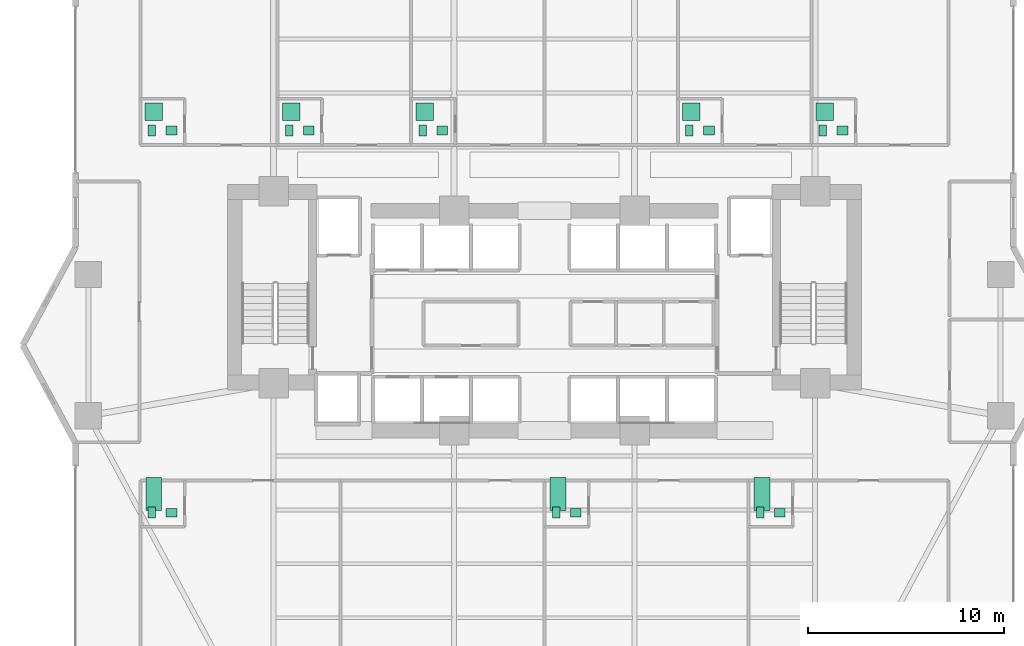
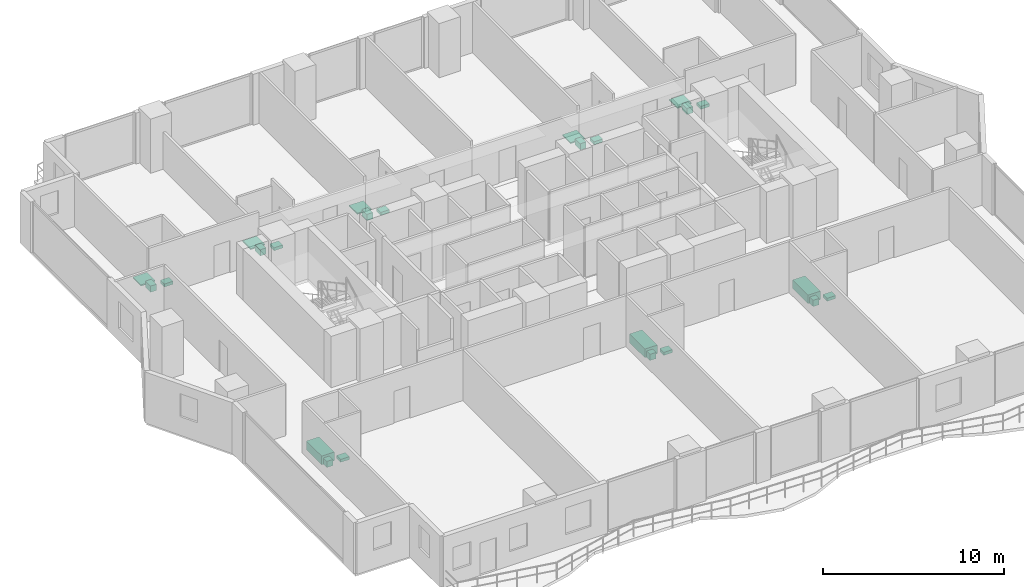
# One storey, part 30 of 30: 24 sanitary terminals.
"""IFC4 building model written with IfcOpenShell, lengths in metres."""

import ifcopenshell
import ifcopenshell.guid

model = None  # the IFC model being written
_history = None  # IfcOwnerHistory: only IFC2X3 demands one
_inside = {}  # id of a spatial element -> (the spatial element, [elements in it])
_under = {}  # id of a project, library or spatial element -> (it, [spatial elements below it])
_declared = {}  # id of a project -> (the project, [libraries it declares])
_typed = {}  # id of a type object -> (the type object, [elements of that type])
_made_of = {}  # id of a material, layer set ... -> (it, [elements and type objects made of it])


def new_model(schema):
    """Start an empty IFC model of exactly this schema.

    Asked for "IFC4X3", IfcOpenShell would pick the latest addendum, in which some entities
    have other attributes; the version numbers below select the first issue.
    IFC2X3 requires an IfcOwnerHistory on every rooted entity: one is made here for all.
    """
    global model, _history
    if schema == "IFC4X3":
        model = ifcopenshell.file(schema_version=(4, 3, 0, 0))
    else:
        model = ifcopenshell.file(schema=schema)
    _inside.clear()
    _under.clear()
    _declared.clear()
    _typed.clear()
    _made_of.clear()
    _history = None
    if model.schema == "IFC2X3":
        org = make("IfcOrganization", Name="unknown")
        user = make(
            "IfcPersonAndOrganization",
            ThePerson=make("IfcPerson", FamilyName="unknown"),
            TheOrganization=org,
        )
        app = make(
            "IfcApplication",
            ApplicationDeveloper=org,
            Version="unknown",
            ApplicationFullName="unknown",
            ApplicationIdentifier="unknown",
        )
        _history = make(
            "IfcOwnerHistory",
            OwningUser=user,
            OwningApplication=app,
            ChangeAction="ADDED",
            CreationDate=0,
        )
    return model


def make(cls, **values):
    """One entity of the class cls with the attributes given. An attribute that is None is left unset."""
    return model.create_entity(
        cls, **{name: value for name, value in values.items() if value is not None}
    )


def rooted(cls, **values):
    """An entity with a GlobalId (a new one), such as an element, a storey or a relation."""
    return make(cls, GlobalId=ifcopenshell.guid.new(), OwnerHistory=_history, **values)


def si_unit(unit_type, name, prefix=None):
    """IfcSIUnit, for example si_unit("LENGTHUNIT", "METRE", prefix="MILLI")."""
    return make("IfcSIUnit", UnitType=unit_type, Prefix=prefix, Name=name)


def assignment(units):
    """IfcUnitAssignment: the units of a project."""
    return None if units is None else make("IfcUnitAssignment", Units=units)


def point(xyz):
    """IfcCartesianPoint."""
    return None if xyz is None else make("IfcCartesianPoint", Coordinates=xyz)


def direction(xyz):
    """IfcDirection."""
    return None if xyz is None else make("IfcDirection", DirectionRatios=xyz)


def frame(location, z_axis=None, x_axis=None):
    """IfcAxis2Placement3D, a coordinate frame: its origin and axes. An axis left out is left unset."""
    return make(
        "IfcAxis2Placement3D",
        Location=point(location),
        Axis=direction(z_axis),
        RefDirection=direction(x_axis),
    )


def frame_2d(location, x_axis=None):
    """IfcAxis2Placement2D, a coordinate frame in the plane: its origin and x axis."""
    return make(
        "IfcAxis2Placement2D", Location=point(location), RefDirection=direction(x_axis)
    )


def origin():
    """The frame at (0, 0, 0) with its axes left unset."""
    return frame((0.0, 0.0, 0.0))


def origin_2d():
    """The frame at (0, 0) in the plane with its x axis left unset."""
    return frame_2d((0.0, 0.0))


def place(relative_to, where):
    """IfcLocalPlacement: puts the frame where relative to a parent placement (None: the world)."""
    return make(
        "IfcLocalPlacement", PlacementRelTo=relative_to, RelativePlacement=where
    )


def context(
    kind, dimensions, precision=None, world=None, true_north=None, identifier=None
):
    """IfcGeometricRepresentationContext, for example the 3D "Model" context."""
    return make(
        "IfcGeometricRepresentationContext",
        ContextIdentifier=identifier,
        ContextType=kind,
        CoordinateSpaceDimension=dimensions,
        Precision=precision,
        WorldCoordinateSystem=world,
        TrueNorth=true_north,
    )


def subcontext(parent, identifier, kind, view, scale=None):
    """IfcGeometricRepresentationSubContext, for example "Body" below "Model"."""
    return make(
        "IfcGeometricRepresentationSubContext",
        ContextIdentifier=identifier,
        ContextType=kind,
        ParentContext=parent,
        TargetScale=scale,
        TargetView=view,
    )


def project(units=None, contexts=None):
    """IfcProject with its units and contexts."""
    return rooted(
        "IfcProject",
        Name="project",
        RepresentationContexts=contexts,
        UnitsInContext=assignment(units),
    )


def spatial(cls, under=None, at=None, **own):
    """A site, building, storey or space (cls), placed at a placement, below another one or the project."""
    s = rooted(cls, ObjectPlacement=at, **own)
    if under is not None:
        _under.setdefault(under.id(), (under, []))[1].append(s)
    return s


def profile(cls, at=None, kind="AREA", **sizes):
    """A parametric profile (cls). Its sizes go by their IFC names, for example OverallWidth=200.0."""
    return make(cls, ProfileType=kind, Position=at, **sizes)


def rectangle(**sizes):
    """IfcRectangleProfileDef."""
    return profile("IfcRectangleProfileDef", **sizes)


def extrude(swept, where, along, depth):
    """IfcExtrudedAreaSolid: the profile swept, set in the frame where, extruded along a direction by depth."""
    return make(
        "IfcExtrudedAreaSolid",
        SweptArea=swept,
        Position=where,
        ExtrudedDirection=direction(along),
        Depth=depth,
    )


def shape(context_of_items, identifier, shape_type, items):
    """IfcShapeRepresentation: the items that make up one representation, for example the "Body"."""
    return make(
        "IfcShapeRepresentation",
        ContextOfItems=context_of_items,
        RepresentationIdentifier=identifier,
        RepresentationType=shape_type,
        Items=items,
    )


def material(Name=None, Category=None):
    """IfcMaterial."""
    return make("IfcMaterial", Name=Name, Category=Category)


def made_of(thing, what):
    """Note that an element or type object is made of a material, layer set ...; save() writes the relation."""
    if what is not None:
        _made_of.setdefault(what.id(), (what, []))[1].append(thing)
    return thing


def type_object(cls, material=None, **own):
    """A type object (cls), such as IfcWallType, which elements share."""
    return made_of(rooted(cls, **own), material)


def element(
    cls,
    number,
    at=None,
    inside=None,
    cuts=None,
    type_object=None,
    material=None,
    context=None,
    identifier="Body",
    shape_type=None,
    held_by="IfcProductDefinitionShape",
    body=None,
    shapes=None,
    **own,
):
    """One element of the class cls, such as IfcWall. Its Tag is "e" and its number.

    at: its placement. inside: the storey or other place that contains it. cuts: it is an
    opening in that element (IfcRelVoidsElement). A single representation is given by context,
    identifier, shape_type and body (its items); several are given by shapes. held_by: the class
    of the entity that holds the representations. save() writes the other relations.
    """
    e = rooted(cls, Tag="e%d" % number, ObjectPlacement=at, **own)
    if body is not None:
        shapes = [shape(context, identifier, shape_type, body)]
    if shapes is not None:
        e.Representation = make(held_by, Representations=shapes)
    if inside is not None:
        _inside.setdefault(inside.id(), (inside, []))[1].append(e)
    if cuts is not None:
        rooted(
            "IfcRelVoidsElement", RelatingBuildingElement=cuts, RelatedOpeningElement=e
        )
    if type_object is not None:
        _typed.setdefault(type_object.id(), (type_object, []))[1].append(e)
    return made_of(e, material)


def aggregate(whole, parts):
    """IfcRelAggregates: a whole, such as a stair, and the parts it consists of."""
    return rooted("IfcRelAggregates", RelatingObject=whole, RelatedObjects=parts)


def save(model, path):
    """Write the relations noted so far, then the file.

    IfcRelAggregates (storeys below a building ...), IfcRelContainedInSpatialStructure (elements
    in a storey), IfcRelDefinesByType, IfcRelAssociatesMaterial and IfcRelDeclares: one each for
    every whole, place, type object, material and project.
    """
    for whole, parts in _under.values():
        aggregate(whole, parts)
    for where, things in _inside.values():
        rooted(
            "IfcRelContainedInSpatialStructure",
            RelatedElements=things,
            RelatingStructure=where,
        )
    for kind, things in _typed.values():
        rooted("IfcRelDefinesByType", RelatedObjects=things, RelatingType=kind)
    for what, things in _made_of.values():
        rooted("IfcRelAssociatesMaterial", RelatedObjects=things, RelatingMaterial=what)
    for by, libraries in _declared.values():
        rooted("IfcRelDeclares", RelatingContext=by, RelatedDefinitions=libraries)
    model.write(path)


model = new_model("IFC4")

# Units and contexts
model_context = context("Model", 3, precision=1e-05, world=origin(), true_north=direction((0.0, 1.0)))
body_context = subcontext(model_context, "Body", "Model", "MODEL_VIEW")
ifc_project = project(units=[si_unit("LENGTHUNIT", "METRE"), si_unit("AREAUNIT", "SQUARE_METRE"), si_unit("VOLUMEUNIT", "CUBIC_METRE"), si_unit("PLANEANGLEUNIT", "RADIAN"), si_unit("MASSUNIT", "GRAM", prefix="KILO")], contexts=[model_context])

# Site, building, storey
site_placement = place(None, origin())
site = spatial("IfcSite", under=ifc_project, at=site_placement, CompositionType="ELEMENT")
building_placement = place(site_placement, origin())
building = spatial("IfcBuilding", under=site, at=building_placement, Name="Zuhayl Quay Hotel", CompositionType="ELEMENT")
storey_placement = place(building_placement, frame((0.0, 0.0, 128.5)))
storey = spatial("IfcBuildingStorey", under=building, at=storey_placement, Name="L32", CompositionType="ELEMENT", Elevation=128.5)

# Sanitary terminals
ifc_material = material(Name="Vitreous Porcelain Sanitaryware")
sanitary_terminal_type_1 = type_object("IfcSanitaryTerminalType", Name="SAN_BASIN", PredefinedType="WASHHANDBASIN", material=ifc_material)
for number, where, z_axis, x_axis, name in (
    (1, (-19.010009765625, 17.43994140625, 0.0), (0.0, 0.0, 1.0), (1.0, 0.0, 0.0), "L32 Sanitary Fixture WASHHANDBASIN"),
    (2, (-12.010009765625, 17.43994140625, 0.0), (0.0, 0.0, 1.0), (1.0, 0.0, 0.0), "L32 Sanitary Fixture WASHHANDBASIN"),
    (3, (-5.2099609375, 17.43994140625, 0.0), (0.0, 0.0, 1.0), (1.0, 0.0, 0.0), "L32 Sanitary Fixture WASHHANDBASIN"),
    (4, (8.389892578125, 17.43994140625, 0.0), (0.0, 0.0, 1.0), (1.0, 0.0, 0.0), "L32 Sanitary Fixture WASHHANDBASIN"),
    (5, (15.18994140625, 17.43994140625, 0.0), (0.0, 0.0, 1.0), (1.0, 0.0, 0.0), "L32 Sanitary Fixture WASHHANDBASIN"),
    (6, (-19.010009765625, -2.0400390625, 0.0), (0.0, 0.0, 1.0), (1.0, 0.0, 0.0), "L32 Sanitary Fixture WASHHANDBASIN"),
    (7, (1.590087890625, -2.0400390625, 0.0), (0.0, 0.0, 1.0), (1.0, 0.0, 0.0), "L32 Sanitary Fixture WASHHANDBASIN"),
    (8, (11.989990234375, -2.0400390625, 0.0), (0.0, 0.0, 1.0), (1.0, 0.0, 0.0), "L32 Sanitary Fixture WASHHANDBASIN"),
):
    element("IfcSanitaryTerminal", number, at=place(storey_placement, frame(where, z_axis=z_axis, x_axis=x_axis)), inside=storey, type_object=sanitary_terminal_type_1, Name=name, PredefinedType="WASHHANDBASIN", context=body_context, shape_type="SweptSolid", body=[
        extrude(rectangle(XDim=0.550048828125, YDim=0.449951171875, at=origin_2d()), origin(), (0.0, 0.0, 1.0), 0.199951171875),
    ])
sanitary_terminal_type_2 = type_object("IfcSanitaryTerminalType", Name="SAN_BATH", PredefinedType="BATH", material=ifc_material)
for number, where, z_axis, x_axis, name in (
    (9, (-19.909912109375, -1.090087890625, 0.0), (0.0, 0.0, 1.0), (1.0, 0.0, 0.0), "L32 Sanitary Fixture BATH"),
    (10, (0.68994140625, -1.090087890625, 0.0), (0.0, 0.0, 1.0), (1.0, 0.0, 0.0), "L32 Sanitary Fixture BATH"),
    (11, (11.090087890625, -1.090087890625, 0.0), (0.0, 0.0, 1.0), (1.0, 0.0, 0.0), "L32 Sanitary Fixture BATH"),
):
    element("IfcSanitaryTerminal", number, at=place(storey_placement, frame(where, z_axis=z_axis, x_axis=x_axis)), inside=storey, type_object=sanitary_terminal_type_2, Name=name, PredefinedType="BATH", context=body_context, shape_type="SweptSolid", body=[
        extrude(rectangle(XDim=0.800048828125, YDim=1.699951171875, at=origin_2d()), origin(), (0.0, 0.0, 1.0), 0.580078125),
    ])
sanitary_terminal_type_3 = type_object("IfcSanitaryTerminalType", Name="SAN_SHOWER", PredefinedType="SHOWER", material=ifc_material)
for number, where, z_axis, x_axis, name in (
    (12, (-19.909912109375, 18.389892578125, 0.0), (0.0, 0.0, 1.0), (1.0, 0.0, 0.0), "L32 Sanitary Fixture SHOWER"),
    (13, (-12.909912109375, 18.389892578125, 0.0), (0.0, 0.0, 1.0), (1.0, 0.0, 0.0), "L32 Sanitary Fixture SHOWER"),
    (14, (-6.110107421875, 18.389892578125, 0.0), (0.0, 0.0, 1.0), (1.0, 0.0, 0.0), "L32 Sanitary Fixture SHOWER"),
    (15, (7.489990234375, 18.389892578125, 0.0), (0.0, 0.0, 1.0), (1.0, 0.0, 0.0), "L32 Sanitary Fixture SHOWER"),
    (16, (14.2900390625, 18.389892578125, 0.0), (0.0, 0.0, 1.0), (1.0, 0.0, 0.0), "L32 Sanitary Fixture SHOWER"),
):
    element("IfcSanitaryTerminal", number, at=place(storey_placement, frame(where, z_axis=z_axis, x_axis=x_axis)), inside=storey, type_object=sanitary_terminal_type_3, Name=name, PredefinedType="SHOWER", context=body_context, shape_type="SweptSolid", body=[
        extrude(rectangle(XDim=0.89990234375, YDim=0.89990234375, at=origin_2d()), origin(), (0.0, 0.0, 1.0), 0.080078125),
    ])
sanitary_terminal_type_4 = type_object("IfcSanitaryTerminalType", Name="SAN_WC", PredefinedType="TOILETPAN", material=ifc_material)
for number, where, z_axis, x_axis, name in (
    (17, (-20.010009765625, 17.43994140625, 0.0), (0.0, 0.0, 1.0), (1.0, 0.0, 0.0), "L32 Sanitary Fixture TOILETPAN"),
    (18, (-13.010009765625, 17.43994140625, 0.0), (0.0, 0.0, 1.0), (1.0, 0.0, 0.0), "L32 Sanitary Fixture TOILETPAN"),
    (19, (-6.2099609375, 17.43994140625, 0.0), (0.0, 0.0, 1.0), (1.0, 0.0, 0.0), "L32 Sanitary Fixture TOILETPAN"),
    (20, (7.389892578125, 17.43994140625, 0.0), (0.0, 0.0, 1.0), (1.0, 0.0, 0.0), "L32 Sanitary Fixture TOILETPAN"),
    (21, (14.18994140625, 17.43994140625, 0.0), (0.0, 0.0, 1.0), (1.0, 0.0, 0.0), "L32 Sanitary Fixture TOILETPAN"),
    (22, (-20.010009765625, -2.0400390625, 0.0), (0.0, 0.0, 1.0), (1.0, 0.0, 0.0), "L32 Sanitary Fixture TOILETPAN"),
    (23, (0.590087890625, -2.0400390625, 0.0), (0.0, 0.0, 1.0), (1.0, 0.0, 0.0), "L32 Sanitary Fixture TOILETPAN"),
    (24, (10.989990234375, -2.0400390625, 0.0), (0.0, 0.0, 1.0), (1.0, 0.0, 0.0), "L32 Sanitary Fixture TOILETPAN"),
):
    element("IfcSanitaryTerminal", number, at=place(storey_placement, frame(where, z_axis=z_axis, x_axis=x_axis)), inside=storey, type_object=sanitary_terminal_type_4, Name=name, PredefinedType="TOILETPAN", context=body_context, shape_type="SweptSolid", body=[
        extrude(rectangle(XDim=0.3798828125, YDim=0.56005859375, at=origin_2d()), origin(), (0.0, 0.0, 1.0), 0.419921875),
    ])

save(model, "model.ifc")
